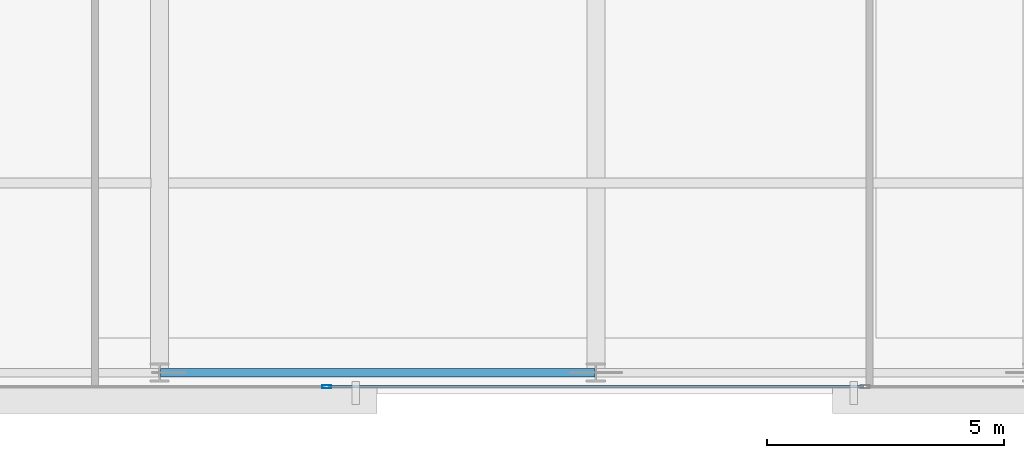
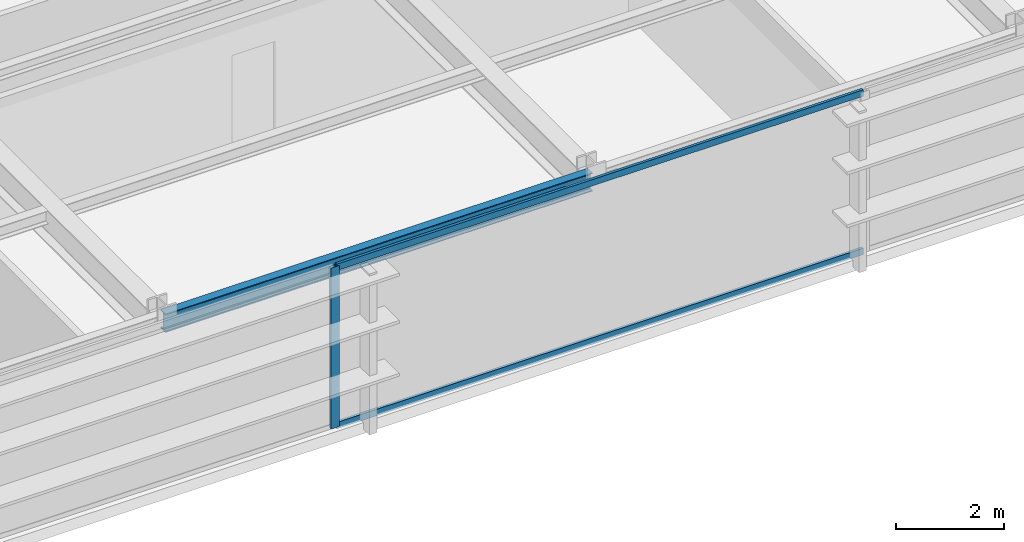
# One storey, part 6 of 32: 3 members, 1 beam, 1 element without a shape of its own.
"""IFC4 building model written with IfcOpenShell, lengths in metres."""

from ifc_helpers import new_model, si_unit, direction, frame, origin, origin_2d, place, context, subcontext, project, spatial, hollow_rectangle, i_section, extrude, source, transform, mapped, material, layer, layer_set, material_profile, profile_set, type_object, type_shapes, element, aggregate, save


model = new_model("IFC4")

# Units and contexts
model_context = context("Model", 3, precision=1e-05, world=origin(), true_north=direction((0.0, 1.0)))
body_context = subcontext(model_context, "Body", "Model", "MODEL_VIEW")
ifc_project = project(units=[si_unit("LENGTHUNIT", "METRE"), si_unit("AREAUNIT", "SQUARE_METRE"), si_unit("VOLUMEUNIT", "CUBIC_METRE"), si_unit("PLANEANGLEUNIT", "RADIAN"), si_unit("MASSUNIT", "GRAM", prefix="KILO")], contexts=[model_context])

# Site, building, storey
site_placement = place(None, origin())
site = spatial("IfcSite", under=ifc_project, at=site_placement, CompositionType="ELEMENT")
building_placement = place(site_placement, origin())
building = spatial("IfcBuilding", under=site, at=building_placement, Name="Varnel Quay Broadcast Tower", CompositionType="ELEMENT")
storey_placement = place(building_placement, frame((0.0, 0.0, 54.89990234375)))
storey = spatial("IfcBuildingStorey", under=building, at=storey_placement, Name="L12", CompositionType="ELEMENT", Elevation=54.89990234375)

# Beam
ifc_material_1 = material(Name="Structural Steel CSA G40.21 350W", Category="steel")
ifc_material_profile_1 = material_profile(ifc_material_1, i_section(OverallWidth=0.180908203125, OverallDepth=0.4169921875, WebThickness=0.010986328125, FlangeThickness=0.018310546875, FilletRadius=0.011962890625, at=origin_2d()), Name="W410X85")
ifc_profile_set_1 = profile_set([ifc_material_profile_1], Name="Structural Steel CSA G40.21 350W")
beam_type = type_object("IfcBeamType", Name="Beam_W410X85", PredefinedType="SPANDREL", material=ifc_profile_set_1)
shared_shape_1 = source(origin(), body_context, "Body", "SweptSolid", [
    extrude(i_section(OverallWidth=0.180908203125, OverallDepth=0.4169921875, WebThickness=0.010986328125, FlangeThickness=0.018310546875, FilletRadius=0.011962890625, at=origin_2d()), origin(), (0.0, 0.0, 1.0), 9.159912109375),
])
type_shapes(beam_type, [shared_shape_1])
beam_placement = place(storey_placement, frame((24.820068359375, 1.64990234375, 3.441650390625), z_axis=(1.0, 0.0, 0.0), x_axis=(0.0, 1.0, 0.0)))
element("IfcBeam", 1, at=beam_placement, inside=storey, type_object=beam_type, Name="L12 South Spandrel TC-S2-TC-S3", PredefinedType="SPANDREL", context=body_context, shape_type="MappedRepresentation", body=[
    mapped(shared_shape_1, transform((0.0, 0.0, 0.0), x_axis=(1.0, 0.0, 0.0), y_axis=(0.0, 1.0, 0.0), z_axis=(0.0, 0.0, 1.0), scale=1.0)),
])

# Curtain wall, members
ifc_material_2 = material(Name="Anodised Bronze Aluminium 6063-T6", Category="aluminium")
ifc_layer = layer(ifc_material_2, 0.18994140625, Name="Anodised Bronze Aluminium 6063-T6")
ifc_layer_set = layer_set([ifc_layer], Name="Anodised Bronze Aluminium 6063-T6")
curtain_wall_type = type_object("IfcCurtainWallType", Name="CW_LowerTower", PredefinedType="NOTDEFINED", material=ifc_layer_set)
curtain_wall_placement = place(storey_placement, origin())
curtain_wall = element("IfcCurtainWall", 2, at=curtain_wall_placement, inside=storey, type_object=curtain_wall_type, Name="L12 South Unitised Curtain Wall 1", PredefinedType="NOTDEFINED")
ifc_material_profile_2 = material_profile(ifc_material_2, hollow_rectangle(XDim=0.06005859375, YDim=0.14501953125, WallThickness=0.00341796875, at=origin_2d()), Name="ALU60X145X3.5")
ifc_profile_set_2 = profile_set([ifc_material_profile_2], Name="Anodised Bronze Aluminium 6063-T6")
member_type_1 = type_object("IfcMemberType", Name="Tran_CWS-02", PredefinedType="USERDEFINED", material=ifc_profile_set_2)
shared_shape_2 = source(origin(), body_context, "Body", "SweptSolid", [
    extrude(hollow_rectangle(XDim=0.06005859375, YDim=0.14501953125, WallThickness=0.00341796875, at=origin_2d()), origin(), (0.0, 0.0, 1.0), 11.2900390625),
])
type_shapes(member_type_1, [shared_shape_2])
member_1_placement = place(storey_placement, frame((28.35498046875, 1.35009765625, 0.030029296875), z_axis=(1.0, 0.0, 0.0), x_axis=(0.0, 1.0, 0.0)))
member_1 = element("IfcMember", 3, at=member_1_placement, type_object=member_type_1, Name="CWS-02 transom 3.1", ObjectType="TRANSOM", PredefinedType="USERDEFINED", context=body_context, shape_type="MappedRepresentation", body=[
    mapped(shared_shape_2, transform((0.0, 0.0, 0.0), x_axis=(1.0, 0.0, 0.0), y_axis=(0.0, 1.0, 0.0), z_axis=(0.0, 0.0, 1.0), scale=1.0)),
])
member_2_placement = place(storey_placement, frame((28.35498046875, 1.35009765625, 3.6201171875), z_axis=(1.0, 0.0, 0.0), x_axis=(0.0, 1.0, 0.0)))
member_2 = element("IfcMember", 4, at=member_2_placement, type_object=member_type_1, Name="CWS-02 transom 3.2", ObjectType="TRANSOM", PredefinedType="USERDEFINED", context=body_context, shape_type="MappedRepresentation", body=[
    mapped(shared_shape_2, transform((0.0, 0.0, 0.0), x_axis=(1.0, 0.0, 0.0), y_axis=(0.0, 1.0, 0.0), z_axis=(0.0, 0.0, 1.0), scale=1.0)),
])
ifc_material_profile_3 = material_profile(ifc_material_2, hollow_rectangle(XDim=0.070068359375, YDim=0.18994140625, WallThickness=0.00390625, at=origin_2d()), Name="ALU70X190X4")
ifc_profile_set_3 = profile_set([ifc_material_profile_3], Name="Anodised Bronze Aluminium 6063-T6")
member_type_2 = type_object("IfcMemberType", Name="Mull_CWS-02", PredefinedType="MULLION", material=ifc_profile_set_3)
shared_shape_3 = source(origin(), body_context, "Body", "SweptSolid", [
    extrude(hollow_rectangle(XDim=0.070068359375, YDim=0.18994140625, WallThickness=0.00390625, at=origin_2d()), origin(), (0.0, 0.0, 1.0), 3.650146484375),
])
type_shapes(member_type_2, [shared_shape_3])
member_3_placement = place(storey_placement, frame((28.320068359375, 1.35009765625, 0.0), z_axis=(0.0, 0.0, 1.0), x_axis=(0.0, 1.0, 0.0)))
member_3 = element("IfcMember", 5, at=member_3_placement, type_object=member_type_2, Name="CWS-02 mullion 3", PredefinedType="MULLION", context=body_context, shape_type="MappedRepresentation", body=[
    mapped(shared_shape_3, transform((0.0, 0.0, 0.0), x_axis=(1.0, 0.0, 0.0), y_axis=(0.0, 1.0, 0.0), z_axis=(0.0, 0.0, 1.0), scale=1.0)),
])
aggregate(curtain_wall, [member_3, member_1, member_2])

save(model, "model.ifc")
